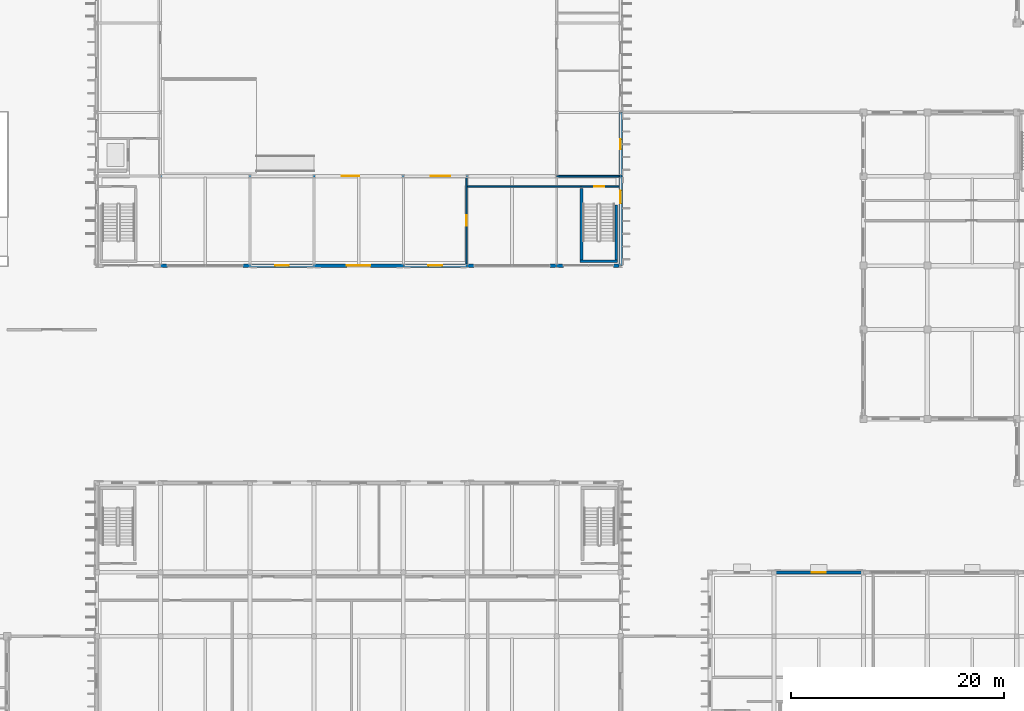
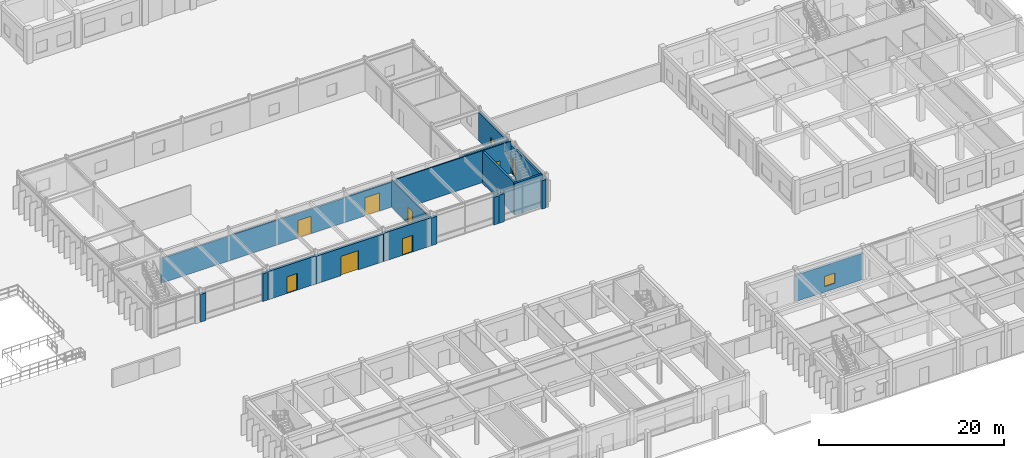
# One storey, part 33 of 67: 20 walls, 8 doors, 2 windows, 10 openings.
"""IFC4 building model written with IfcOpenShell, lengths in metres."""

from ifc_helpers import new_model, si_unit, direction, frame, frame_2d, origin, place, context, subcontext, project, spatial, rectangle, extrude, material, layer, layer_set, type_object, element, fill, save


model = new_model("IFC4")

# Units and contexts
model_context = context("Model", 3, precision=1e-05, world=origin(), true_north=direction((0.0, 1.0)))
body_context = subcontext(model_context, "Body", "Model", "MODEL_VIEW")
ifc_project = project(units=[si_unit("LENGTHUNIT", "METRE"), si_unit("AREAUNIT", "SQUARE_METRE"), si_unit("VOLUMEUNIT", "CUBIC_METRE"), si_unit("PLANEANGLEUNIT", "RADIAN"), si_unit("MASSUNIT", "GRAM", prefix="KILO"), si_unit("THERMODYNAMICTEMPERATUREUNIT", "KELVIN")], contexts=[model_context])

# Site, building, storey
site_placement = place(None, origin())
site = spatial("IfcSite", under=ifc_project, at=site_placement, CompositionType="ELEMENT")
building_placement = place(site_placement, origin())
building = spatial("IfcBuilding", under=site, at=building_placement, Name="Thalorik Housing Commons", CompositionType="ELEMENT")
storey_placement = place(building_placement, origin())
storey = spatial("IfcBuildingStorey", under=building, at=storey_placement, Name="L00", CompositionType="ELEMENT", Elevation=0.0)

# Walls
ifc_material_1 = material(Name="Concrete C40/50", Category="concrete")
ifc_layer_1 = layer(ifc_material_1, 0.25, Name="Concrete C40/50", Category="concrete")
ifc_layer_set_1 = layer_set([ifc_layer_1], Name="Concrete C40/50")
wall_type_1 = type_object("IfcWallType", Name="ARC-WAL-CORE-250", PredefinedType="SHEAR", material=ifc_layer_set_1)
wall_1_placement = place(storey_placement, frame((111.52490234375, 64.85009765625, 0.0), z_axis=(0.0, 0.0, 1.0), x_axis=(0.0, -1.0, 0.0)))
element("IfcWall", 1, at=wall_1_placement, inside=storey, type_object=wall_type_1, Name="L00 Stair ST-H2 Structural Support Wall L", PredefinedType="SHEAR", context=body_context, shape_type="SweptSolid", body=[
    extrude(rectangle(XDim=6.7001953125, YDim=0.25, at=frame_2d((3.35009765625, 0.0))), origin(), (0.0, 0.0, 1.0), 4.199951171875),
])
wall_2_placement = place(storey_placement, frame((114.77490234375, 63.300048828125, 0.0), z_axis=(0.0, 0.0, 1.0), x_axis=(0.0, -1.0, 0.0)))
element("IfcWall", 2, at=wall_2_placement, inside=storey, type_object=wall_type_1, Name="L00 Stair ST-H2 Structural Support Wall R", PredefinedType="SHEAR", context=body_context, shape_type="SweptSolid", body=[
    extrude(rectangle(XDim=5.150146484375, YDim=0.25, at=frame_2d((2.5751953125, 0.0))), origin(), (0.0, 0.0, 1.0), 4.199951171875),
])
wall_3_placement = place(storey_placement, frame((111.39990234375, 58.02490234375, 0.0), z_axis=(0.0, 0.0, 1.0), x_axis=(1.0, 0.0, 0.0)))
element("IfcWall", 3, at=wall_3_placement, inside=storey, type_object=wall_type_1, Name="L00 Stair ST-H2 Structural Support Wall F", PredefinedType="SHEAR", context=body_context, shape_type="SweptSolid", body=[
    extrude(rectangle(XDim=3.5, YDim=0.25, at=frame_2d((1.75, 0.0))), origin(), (0.0, 0.0, 1.0), 4.199951171875),
])

# Wall, opening, window
ifc_material_2 = material(Name="White precast concrete C40/50", Category="concrete")
ifc_layer_2 = layer(ifc_material_2, 0.2900390625, Name="White precast concrete C40/50", Category="concrete")
ifc_layer_set_2 = layer_set([ifc_layer_2], Name="White precast concrete C40/50")
wall_type_2 = type_object("IfcWallType", Name="ARC-WAL-EXT-290", PredefinedType="STANDARD", material=ifc_layer_set_2)
wall_4_placement = place(storey_placement, frame((138.0, 28.800048828125, 0.0), z_axis=(0.0, 0.0, 1.0), x_axis=(-1.0, 0.0, 0.0)))
wall_4 = element("IfcWall", 4, at=wall_4_placement, inside=storey, type_object=wall_type_2, Name="L00 Exterior Wall WAL-NURS-L00-1336", PredefinedType="STANDARD", context=body_context, shape_type="SweptSolid", body=[
    extrude(rectangle(XDim=8.39990234375, YDim=0.2900390625, at=frame_2d((4.199951171875, 0.0))), origin(), (0.0, 0.0, 1.0), 3.485107421875),
])
opening_1_placement = place(wall_4_placement, frame((3.5400390625, 0.0, 0.719970703125)))
opening_1 = element("IfcOpeningElement", 5, at=opening_1_placement, cuts=wall_4, Name="Opening W-48", PredefinedType="OPENING", context=body_context, shape_type="SweptSolid", body=[
    extrude(rectangle(XDim=1.320068359375, YDim=1.35009765625, at=frame_2d((0.66015625, 0.675048828125))), frame((0.0, 0.155029296875, 0.0), z_axis=(0.0, -1.0, 0.0), x_axis=(1.0, 0.0, 0.0)), (0.0, 0.0, 1.0), 0.31005859375),
])
ifc_material_3 = material(Name="Anodised aluminium and solar-control low-E glass", Category="aluminium")
window_type_1 = type_object("IfcWindowType", Name="ARC-WIN-48", PartitioningType="SINGLE_PANEL", PredefinedType="WINDOW", material=ifc_material_3)
window_1_placement = place(opening_1_placement, origin())
window_1 = element("IfcWindow", 6, at=window_1_placement, inside=storey, type_object=window_type_1, Name="L00 Facade Window 2373", OverallHeight=1.35009765625, OverallWidth=1.320068359375, PartitioningType="SINGLE_PANEL", PredefinedType="WINDOW", context=body_context, shape_type="SweptSolid", body=[
    extrude(rectangle(XDim=1.320068359375, YDim=1.35009765625, at=frame_2d((0.66015625, 0.675048828125))), frame((0.0, 0.030029296875, 0.0), z_axis=(0.0, -1.0, 0.0), x_axis=(1.0, 0.0, 0.0)), (0.0, 0.0, 1.0), 0.06005859375),
])
fill(opening_1, window_1)

# Walls
ifc_layer_3 = layer(ifc_material_2, 0.320068359375, Name="White precast concrete C40/50", Category="concrete")
ifc_layer_set_3 = layer_set([ifc_layer_3], Name="White precast concrete C40/50")
wall_type_3 = type_object("IfcWallType", Name="ARC-WAL-EXT-320", PredefinedType="STANDARD", material=ifc_layer_set_3)
for number, where, z_axis, x_axis, name in (
    (7, (72.0, 57.60009765625, 0.0), (0.0, 0.0, 1.0), (1.0, 0.0, 0.0), "L00 Exterior Wall WAL-HALLPL-L00-1280"),
    (8, (79.75, 57.60009765625, 0.0), (0.0, 0.0, 1.0), (1.0, 0.0, 0.0), "L00 Exterior Wall WAL-HALLPR-L00-1280"),
):
    element("IfcWall", number, at=place(storey_placement, frame(where, z_axis=z_axis, x_axis=x_axis)), inside=storey, type_object=wall_type_3, Name=name, PredefinedType="STANDARD", context=body_context, shape_type="SweptSolid", body=[
        extrude(rectangle(XDim=0.64990234375, YDim=0.320068359375, at=frame_2d((0.324951171875, 0.0))), origin(), (0.0, 0.0, 1.0), 3.64599609375),
    ])

# Wall, opening, door
wall_5_placement = place(storey_placement, frame((80.39990234375, 57.60009765625, 0.0), z_axis=(0.0, 0.0, 1.0), x_axis=(1.0, 0.0, 0.0)))
wall_5 = element("IfcWall", 9, at=wall_5_placement, inside=storey, type_object=wall_type_3, Name="L00 Exterior Wall WAL-HALL-L00-1281", PredefinedType="STANDARD", context=body_context, shape_type="SweptSolid", body=[
    extrude(rectangle(XDim=6.0, YDim=0.320068359375, at=frame_2d((3.0, 0.0))), origin(), (0.0, 0.0, 1.0), 3.721923828125),
])
opening_2_placement = place(wall_5_placement, frame((2.35009765625, 0.0, 0.0)))
opening_2 = element("IfcOpeningElement", 10, at=opening_2_placement, cuts=wall_5, Name="Opening ED-0437", PredefinedType="OPENING", context=body_context, shape_type="SweptSolid", body=[
    extrude(rectangle(XDim=1.300048828125, YDim=2.199951171875, at=frame_2d((0.64990234375, 1.10009765625))), frame((0.0, 0.169921875, 0.0), z_axis=(0.0, -1.0, 0.0), x_axis=(1.0, 0.0, 0.0)), (0.0, 0.0, 1.0), 0.340087890625),
])
ifc_material_4 = material(Name="Anodised aluminium and laminated safety glass", Category="aluminium")
door_type_1 = type_object("IfcDoorType", Name="ARC-DR-EXT-EXIT-1300", OperationType="NOTDEFINED", PredefinedType="DOOR", material=ifc_material_4)
door_1_placement = place(opening_2_placement, frame((1.300048828125, 0.0, 0.0), z_axis=(0.0, 0.0, 1.0), x_axis=(-1.0, 0.0, 0.0)))
door_1 = element("IfcDoor", 11, at=door_1_placement, inside=storey, type_object=door_type_1, Name="L00 Community Hall South Door 3", OperationType="SINGLE_SWING_RIGHT", OverallHeight=2.199951171875, OverallWidth=1.300048828125, PredefinedType="DOOR", context=body_context, shape_type="SweptSolid", body=[
    extrude(rectangle(XDim=1.300048828125, YDim=2.199951171875, at=frame_2d((0.64990234375, 1.10009765625))), frame((0.0, 0.02490234375, 0.0), z_axis=(0.0, -1.0, 0.0), x_axis=(1.0, 0.0, 0.0)), (0.0, 0.0, 1.0), 0.050048828125),
])
fill(opening_2, door_1)

wall_6_placement = place(storey_placement, frame((86.39990234375, 57.60009765625, 0.0), z_axis=(0.0, 0.0, 1.0), x_axis=(1.0, 0.0, 0.0)))
wall_6 = element("IfcWall", 12, at=wall_6_placement, inside=storey, type_object=wall_type_3, Name="L00 Exterior Wall WAL-HALL-L00-1282", PredefinedType="STANDARD", context=body_context, shape_type="SweptSolid", body=[
    extrude(rectangle(XDim=8.400146484375, YDim=0.320068359375, at=frame_2d((4.2001953125, 0.0))), origin(), (0.0, 0.0, 1.0), 3.64599609375),
])
opening_3_placement = place(wall_6_placement, frame((3.10009765625, 0.0, 0.0)))
opening_3 = element("IfcOpeningElement", 13, at=opening_3_placement, cuts=wall_6, Name="Opening ED-0438", PredefinedType="OPENING", context=body_context, shape_type="SweptSolid", body=[
    extrude(rectangle(XDim=2.199951171875, YDim=2.550048828125, at=frame_2d((1.10009765625, 1.27490234375))), frame((0.0, 0.169921875, 0.0), z_axis=(0.0, -1.0, 0.0), x_axis=(1.0, 0.0, 0.0)), (0.0, 0.0, 1.0), 0.340087890625),
])
door_type_2 = type_object("IfcDoorType", Name="ARC-DR-EXT-HALL-2200", OperationType="NOTDEFINED", PredefinedType="DOOR", material=ifc_material_4)
door_2_placement = place(opening_3_placement, frame((2.199951171875, 0.0, 0.0), z_axis=(0.0, 0.0, 1.0), x_axis=(-1.0, 0.0, 0.0)))
door_2 = element("IfcDoor", 14, at=door_2_placement, inside=storey, type_object=door_type_2, Name="L00 Community Hall South Door 4", OperationType="DOUBLE_DOOR_SINGLE_SWING", OverallHeight=2.550048828125, OverallWidth=2.199951171875, PredefinedType="DOOR", context=body_context, shape_type="SweptSolid", body=[
    extrude(rectangle(XDim=2.199951171875, YDim=2.550048828125, at=frame_2d((1.10009765625, 1.27490234375))), frame((0.0, 0.02490234375, 0.0), z_axis=(0.0, -1.0, 0.0), x_axis=(1.0, 0.0, 0.0)), (0.0, 0.0, 1.0), 0.050048828125),
])
fill(opening_3, door_2)

wall_7_placement = place(storey_placement, frame((94.800048828125, 57.60009765625, 0.0), z_axis=(0.0, 0.0, 1.0), x_axis=(1.0, 0.0, 0.0)))
wall_7 = element("IfcWall", 15, at=wall_7_placement, inside=storey, type_object=wall_type_3, Name="L00 Exterior Wall WAL-HALL-L00-1283", PredefinedType="STANDARD", context=body_context, shape_type="SweptSolid", body=[
    extrude(rectangle(XDim=6.0, YDim=0.320068359375, at=frame_2d((3.0, 0.0))), origin(), (0.0, 0.0, 1.0), 3.721923828125),
])
opening_4_placement = place(wall_7_placement, frame((2.35009765625, 0.0, 0.0)))
opening_4 = element("IfcOpeningElement", 16, at=opening_4_placement, cuts=wall_7, Name="Opening ED-0439", PredefinedType="OPENING", context=body_context, shape_type="SweptSolid", body=[
    extrude(rectangle(XDim=1.300048828125, YDim=2.199951171875, at=frame_2d((0.64990234375, 1.10009765625))), frame((0.0, 0.169921875, 0.0), z_axis=(0.0, -1.0, 0.0), x_axis=(1.0, 0.0, 0.0)), (0.0, 0.0, 1.0), 0.340087890625),
])
door_3_placement = place(opening_4_placement, frame((1.300048828125, 0.0, 0.0), z_axis=(0.0, 0.0, 1.0), x_axis=(-1.0, 0.0, 0.0)))
door_3 = element("IfcDoor", 17, at=door_3_placement, inside=storey, type_object=door_type_1, Name="L00 Community Hall South Door 5", OperationType="SINGLE_SWING_RIGHT", OverallHeight=2.199951171875, OverallWidth=1.300048828125, PredefinedType="DOOR", context=body_context, shape_type="SweptSolid", body=[
    extrude(rectangle(XDim=1.300048828125, YDim=2.199951171875, at=frame_2d((0.64990234375, 1.10009765625))), frame((0.0, 0.02490234375, 0.0), z_axis=(0.0, -1.0, 0.0), x_axis=(1.0, 0.0, 0.0)), (0.0, 0.0, 1.0), 0.050048828125),
])
fill(opening_4, door_3)

# Walls
for number, where, z_axis, x_axis, name in (
    (18, (100.800048828125, 57.60009765625, 0.0), (0.0, 0.0, 1.0), (1.0, 0.0, 0.0), "L00 Exterior Wall WAL-HALLPL-L00-1284"),
    (19, (108.550048828125, 57.60009765625, 0.0), (0.0, 0.0, 1.0), (1.0, 0.0, 0.0), "L00 Exterior Wall WAL-HALLPR-L00-1284"),
):
    element("IfcWall", number, at=place(storey_placement, frame(where, z_axis=z_axis, x_axis=x_axis)), inside=storey, type_object=wall_type_3, Name=name, PredefinedType="STANDARD", context=body_context, shape_type="SweptSolid", body=[
        extrude(rectangle(XDim=0.64990234375, YDim=0.320068359375, at=frame_2d((0.324951171875, 0.0))), origin(), (0.0, 0.0, 1.0), 3.64599609375),
    ])
wall_8_placement = place(storey_placement, frame((109.199951171875, 57.60009765625, 0.0), z_axis=(0.0, 0.0, 1.0), x_axis=(1.0, 0.0, 0.0)))
element("IfcWall", 20, at=wall_8_placement, inside=storey, type_object=wall_type_3, Name="L00 Exterior Wall WAL-HALLPL-L00-1285", PredefinedType="STANDARD", context=body_context, shape_type="SweptSolid", body=[
    extrude(rectangle(XDim=0.650146484375, YDim=0.320068359375, at=frame_2d((0.3251953125, 0.0))), origin(), (0.0, 0.0, 1.0), 3.721923828125),
])
wall_9_placement = place(storey_placement, frame((114.550048828125, 57.60009765625, 0.0), z_axis=(0.0, 0.0, 1.0), x_axis=(1.0, 0.0, 0.0)))
element("IfcWall", 21, at=wall_9_placement, inside=storey, type_object=wall_type_3, Name="L00 Exterior Wall WAL-HALLPR-L00-1285", PredefinedType="STANDARD", context=body_context, shape_type="SweptSolid", body=[
    extrude(rectangle(XDim=0.488037109375, YDim=0.320068359375, at=frame_2d((0.244140625, 0.0))), origin(), (0.0, 0.0, 1.0), 3.721923828125),
])

# Wall, opening, door
wall_10_placement = place(storey_placement, frame((115.199951171875, 57.60009765625, 0.0), z_axis=(0.0, 0.0, 1.0), x_axis=(0.0, 1.0, 0.0)))
wall_10 = element("IfcWall", 22, at=wall_10_placement, inside=storey, type_object=wall_type_3, Name="L00 Exterior Wall WAL-HALL-L00-1286", PredefinedType="STANDARD", context=body_context, shape_type="SweptSolid", body=[
    extrude(rectangle(XDim=8.39990234375, YDim=0.320068359375, at=frame_2d((4.199951171875, 0.0))), origin(), (0.0, 0.0, 1.0), 3.64990234375),
])
opening_5_placement = place(wall_10_placement, frame((5.85009765625, 0.0, 0.0)))
opening_5 = element("IfcOpeningElement", 23, at=opening_5_placement, cuts=wall_10, Name="Opening ED-0440", PredefinedType="OPENING", context=body_context, shape_type="SweptSolid", body=[
    extrude(rectangle(XDim=1.199951171875, YDim=2.199951171875, at=frame_2d((0.60009765625, 1.10009765625))), frame((0.0, 0.169921875, 0.0), z_axis=(0.0, -1.0, 0.0), x_axis=(1.0, 0.0, 0.0)), (0.0, 0.0, 1.0), 0.340087890625),
])
door_type_3 = type_object("IfcDoorType", Name="ARC-DR-EXT-EXIT-1200", OperationType="NOTDEFINED", PredefinedType="DOOR", material=ifc_material_4)
door_4_placement = place(opening_5_placement, frame((1.199951171875, 0.0, 0.0), z_axis=(0.0, 0.0, 1.0), x_axis=(-1.0, 0.0, 0.0)))
door_4 = element("IfcDoor", 24, at=door_4_placement, inside=storey, type_object=door_type_3, Name="L00 Stair ST-H2 Exterior Exit Door", OperationType="SINGLE_SWING_LEFT", OverallHeight=2.199951171875, OverallWidth=1.199951171875, PredefinedType="DOOR", context=body_context, shape_type="SweptSolid", body=[
    extrude(rectangle(XDim=1.199951171875, YDim=2.199951171875, at=frame_2d((0.60009765625, 1.10009765625))), frame((0.0, 0.02490234375, 0.0), z_axis=(0.0, -1.0, 0.0), x_axis=(1.0, 0.0, 0.0)), (0.0, 0.0, 1.0), 0.050048828125),
])
fill(opening_5, door_4)

# Wall, opening, window
wall_11_placement = place(storey_placement, frame((115.199951171875, 66.0, 0.0), z_axis=(0.0, 0.0, 1.0), x_axis=(0.0, 1.0, 0.0)))
wall_11 = element("IfcWall", 25, at=wall_11_placement, inside=storey, type_object=wall_type_3, Name="L00 Exterior Wall WAL-HALL-L00-1287", PredefinedType="STANDARD", context=body_context, shape_type="SweptSolid", body=[
    extrude(rectangle(XDim=6.0, YDim=0.320068359375, at=frame_2d((3.0, 0.0))), origin(), (0.0, 0.0, 1.0), 3.77197265625),
])
opening_6_placement = place(wall_11_placement, frame((2.550048828125, 0.0, 0.85009765625)))
opening_6 = element("IfcOpeningElement", 26, at=opening_6_placement, cuts=wall_11, Name="Opening W-01", PredefinedType="OPENING", context=body_context, shape_type="SweptSolid", body=[
    extrude(rectangle(XDim=0.89990234375, YDim=1.199951171875, at=frame_2d((0.449951171875, 0.60009765625))), frame((0.0, 0.169921875, 0.0), z_axis=(0.0, -1.0, 0.0), x_axis=(1.0, 0.0, 0.0)), (0.0, 0.0, 1.0), 0.340087890625),
])
window_type_2 = type_object("IfcWindowType", Name="ARC-WIN-01", PartitioningType="SINGLE_PANEL", PredefinedType="WINDOW", material=ifc_material_3)
window_2_placement = place(opening_6_placement, origin())
window_2 = element("IfcWindow", 27, at=window_2_placement, inside=storey, type_object=window_type_2, Name="L00 Facade Window 2328", OverallHeight=1.199951171875, OverallWidth=0.89990234375, PartitioningType="SINGLE_PANEL", PredefinedType="WINDOW", context=body_context, shape_type="SweptSolid", body=[
    extrude(rectangle(XDim=0.89990234375, YDim=1.199951171875, at=frame_2d((0.449951171875, 0.60009765625))), frame((0.0, 0.030029296875, 0.0), z_axis=(0.0, -1.0, 0.0), x_axis=(1.0, 0.0, 0.0)), (0.0, 0.0, 1.0), 0.06005859375),
])
fill(opening_6, window_2)

# Wall
ifc_material_5 = material(Name="Ceramic masonry partition wall", Category="masonry")
ifc_layer_4 = layer(ifc_material_5, 0.14794921875, Name="Ceramic masonry partition wall", Category="masonry")
ifc_layer_set_4 = layer_set([ifc_layer_4], Name="Ceramic masonry partition wall")
wall_type_4 = type_object("IfcWallType", Name="ARC-WAL-PART-150", PredefinedType="PARTITIONING", material=ifc_layer_set_4)
wall_12_placement = place(storey_placement, frame((109.199951171875, 66.0, 0.0), z_axis=(0.0, 0.0, 1.0), x_axis=(1.0, 0.0, 0.0)))
element("IfcWall", 28, at=wall_12_placement, inside=storey, type_object=wall_type_4, Name="L00 Hall Public Bathroom South Wall", PredefinedType="PARTITIONING", context=body_context, shape_type="SweptSolid", body=[
    extrude(rectangle(XDim=5.860107421875, YDim=0.14794921875, at=frame_2d((2.93017578125, 0.0))), origin(), (0.0, 0.0, 1.0), 3.721923828125),
])

# Wall, opening, door
wall_13_placement = place(storey_placement, frame((100.719970703125, 57.761962890625, 0.0), z_axis=(0.0, 0.0, 1.0), x_axis=(0.0, 1.0, 0.0)))
wall_13 = element("IfcWall", 29, at=wall_13_placement, inside=storey, type_object=wall_type_4, Name="L00 Catering Kitchen Wall", PredefinedType="PARTITIONING", context=body_context, shape_type="SweptSolid", body=[
    extrude(rectangle(XDim=8.135986328125, YDim=0.14794921875, at=frame_2d((4.06787109375, 0.0))), origin(), (0.0, 0.0, 1.0), 3.64990234375),
])
opening_7_placement = place(wall_13_placement, frame((3.568115234375, 0.0, 0.0)))
opening_7 = element("IfcOpeningElement", 30, at=opening_7_placement, cuts=wall_13, Name="Opening ID-2179", PredefinedType="OPENING", context=body_context, shape_type="SweptSolid", body=[
    extrude(rectangle(XDim=1.0, YDim=2.14990234375, at=frame_2d((0.5, 1.074951171875))), frame((0.0, 0.083984375, 0.0), z_axis=(0.0, -1.0, 0.0), x_axis=(1.0, 0.0, 0.0)), (0.0, 0.0, 1.0), 0.16796875),
])
ifc_material_6 = material(Name="Steel S355", Category="steel")
door_type_4 = type_object("IfcDoorType", Name="ARC-DR-FD60-1000", OperationType="NOTDEFINED", PredefinedType="DOOR", material=ifc_material_6)
door_5_placement = place(opening_7_placement, origin())
door_5 = element("IfcDoor", 31, at=door_5_placement, inside=storey, type_object=door_type_4, Name="Catering Kitchen Door", OperationType="SINGLE_SWING_RIGHT", OverallHeight=2.14990234375, OverallWidth=1.0, PredefinedType="DOOR", context=body_context, shape_type="SweptSolid", body=[
    extrude(rectangle(XDim=1.0, YDim=2.14990234375, at=frame_2d((0.5, 1.074951171875))), frame((0.0, 0.02490234375, 0.0), z_axis=(0.0, -1.0, 0.0), x_axis=(1.0, 0.0, 0.0)), (0.0, 0.0, 1.0), 0.050048828125),
])
fill(opening_7, door_5)

# Wall
wall_14_placement = place(storey_placement, frame((100.7958984375, 65.050048828125, 0.0), z_axis=(0.0, 0.0, 1.0), x_axis=(1.0, 0.0, 0.0)))
element("IfcWall", 32, at=wall_14_placement, inside=storey, type_object=wall_type_4, Name="L00 Catering Kitchen North Wall", PredefinedType="PARTITIONING", context=body_context, shape_type="SweptSolid", body=[
    extrude(rectangle(XDim=10.68408203125, YDim=0.14794921875, at=frame_2d((5.342041015625, 0.0))), origin(), (0.0, 0.0, 1.0), 4.199951171875),
])

# Wall, opening, door
wall_15_placement = place(storey_placement, frame((111.47998046875, 65.050048828125, 0.0), z_axis=(0.0, 0.0, 1.0), x_axis=(1.0, 0.0, 0.0)))
wall_15 = element("IfcWall", 33, at=wall_15_placement, inside=storey, type_object=wall_type_4, Name="L00 Hall East Stair North Wall", PredefinedType="PARTITIONING", context=body_context, shape_type="SweptSolid", body=[
    extrude(rectangle(XDim=3.580078125, YDim=0.14794921875, at=frame_2d((1.7900390625, 0.0))), origin(), (0.0, 0.0, 1.0), 4.199951171875),
])
opening_8_placement = place(wall_15_placement, frame((1.25, 0.0, 0.0)))
opening_8 = element("IfcOpeningElement", 34, at=opening_8_placement, cuts=wall_15, Name="Opening ID-2182", PredefinedType="OPENING", context=body_context, shape_type="SweptSolid", body=[
    extrude(rectangle(XDim=0.949951171875, YDim=2.10009765625, at=frame_2d((0.47509765625, 1.050048828125))), frame((0.0, 0.083984375, 0.0), z_axis=(0.0, -1.0, 0.0), x_axis=(1.0, 0.0, 0.0)), (0.0, 0.0, 1.0), 0.16796875),
])
door_type_5 = type_object("IfcDoorType", Name="ARC-DR-FD60-950", OperationType="NOTDEFINED", PredefinedType="DOOR", material=ifc_material_6)
door_6_placement = place(opening_8_placement, origin())
door_6 = element("IfcDoor", 35, at=door_6_placement, inside=storey, type_object=door_type_5, Name="L00 Stair ST-H2 Fire Door", OperationType="SINGLE_SWING_RIGHT", OverallHeight=2.10009765625, OverallWidth=0.949951171875, PredefinedType="DOOR", context=body_context, shape_type="SweptSolid", body=[
    extrude(rectangle(XDim=0.949951171875, YDim=2.10009765625, at=frame_2d((0.47509765625, 1.050048828125))), frame((0.0, 0.02490234375, 0.0), z_axis=(0.0, -1.0, 0.0), x_axis=(1.0, 0.0, 0.0)), (0.0, 0.0, 1.0), 0.050048828125),
])
fill(opening_8, door_6)

# Wall, openings, doors
ifc_material_7 = material(Name="Precast concrete C40/50 acoustic wall", Category="concrete")
ifc_layer_5 = layer(ifc_material_7, 0.199951171875, Name="Precast concrete C40/50 acoustic wall", Category="concrete")
ifc_layer_set_5 = layer_set([ifc_layer_5], Name="Precast concrete C40/50 acoustic wall")
wall_type_5 = type_object("IfcWallType", Name="ARC-WAL-PARTY-200", PredefinedType="PARTITIONING", material=ifc_layer_set_5)
wall_16_placement = place(storey_placement, frame((72.0, 66.0, 0.0), z_axis=(0.0, 0.0, 1.0), x_axis=(1.0, 0.0, 0.0)))
wall_16 = element("IfcWall", 36, at=wall_16_placement, inside=storey, type_object=wall_type_5, Name="L00 Assembly Hall South Acoustic Wall", PredefinedType="PARTITIONING", context=body_context, shape_type="SweptSolid", body=[
    extrude(rectangle(XDim=37.199951171875, YDim=0.199951171875, at=frame_2d((18.60009765625, 0.0))), origin(), (0.0, 0.0, 1.0), 3.26611328125),
])
opening_9_placement = place(wall_16_placement, frame((17.000732421875, 0.0, 0.0)))
opening_9 = element("IfcOpeningElement", 37, at=opening_9_placement, cuts=wall_16, Name="Opening ID-2172", PredefinedType="OPENING", context=body_context, shape_type="SweptSolid", body=[
    extrude(rectangle(XDim=1.64990234375, YDim=2.300048828125, at=frame_2d((0.824951171875, 1.14990234375))), frame((0.0, 0.10986328125, 0.0), z_axis=(0.0, -1.0, 0.0), x_axis=(1.0, 0.0, 0.0)), (0.0, 0.0, 1.0), 0.219970703125),
])
opening_10_placement = place(wall_16_placement, frame((25.39111328125, 0.0, 0.0)))
opening_10 = element("IfcOpeningElement", 38, at=opening_10_placement, cuts=wall_16, Name="Opening ID-2173", PredefinedType="OPENING", context=body_context, shape_type="SweptSolid", body=[
    extrude(rectangle(XDim=1.800048828125, YDim=2.39990234375, at=frame_2d((0.89990234375, 1.199951171875))), frame((0.0, 0.10986328125, 0.0), z_axis=(0.0, -1.0, 0.0), x_axis=(1.0, 0.0, 0.0)), (0.0, 0.0, 1.0), 0.219970703125),
])
ifc_material_8 = material(Name="Solid core acoustic timber", Category="wood")
door_type_6 = type_object("IfcDoorType", Name="ARC-DR-DBL-1650", OperationType="NOTDEFINED", PredefinedType="DOOR", material=ifc_material_8)
door_7_placement = place(opening_9_placement, origin())
door_7 = element("IfcDoor", 39, at=door_7_placement, inside=storey, type_object=door_type_6, Name="Assembly Hall Main West Doors", OperationType="DOUBLE_DOOR_SINGLE_SWING", OverallHeight=2.300048828125, OverallWidth=1.64990234375, PredefinedType="DOOR", context=body_context, shape_type="SweptSolid", body=[
    extrude(rectangle(XDim=1.64990234375, YDim=2.300048828125, at=frame_2d((0.824951171875, 1.14990234375))), frame((0.0, 0.02490234375, 0.0), z_axis=(0.0, -1.0, 0.0), x_axis=(1.0, 0.0, 0.0)), (0.0, 0.0, 1.0), 0.050048828125),
])
fill(opening_9, door_7)
door_type_7 = type_object("IfcDoorType", Name="ARC-DR-DBL-1800", OperationType="NOTDEFINED", PredefinedType="DOOR", material=ifc_material_8)
door_8_placement = place(opening_10_placement, origin())
door_8 = element("IfcDoor", 40, at=door_8_placement, inside=storey, type_object=door_type_7, Name="Assembly Hall Main East Doors", OperationType="DOUBLE_DOOR_SINGLE_SWING", OverallHeight=2.39990234375, OverallWidth=1.800048828125, PredefinedType="DOOR", context=body_context, shape_type="SweptSolid", body=[
    extrude(rectangle(XDim=1.800048828125, YDim=2.39990234375, at=frame_2d((0.89990234375, 1.199951171875))), frame((0.0, 0.02490234375, 0.0), z_axis=(0.0, -1.0, 0.0), x_axis=(1.0, 0.0, 0.0)), (0.0, 0.0, 1.0), 0.050048828125),
])
fill(opening_10, door_8)

save(model, "model.ifc")
